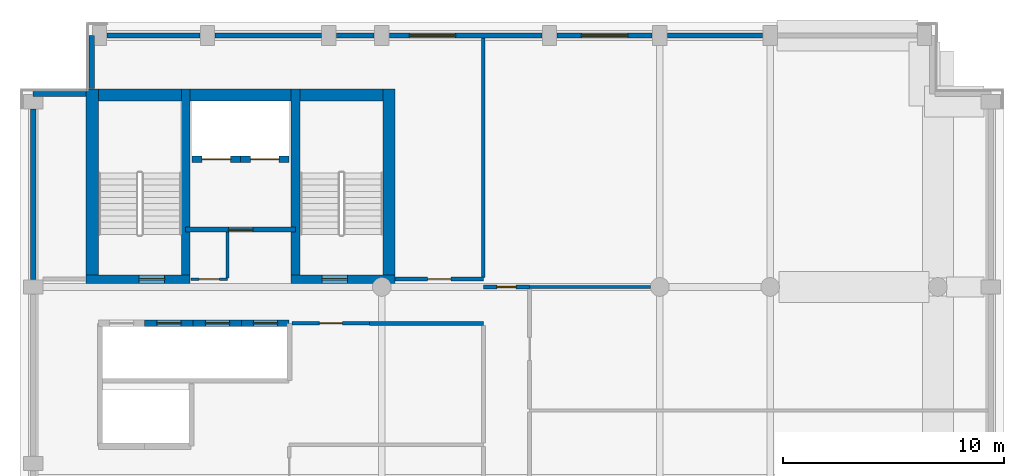
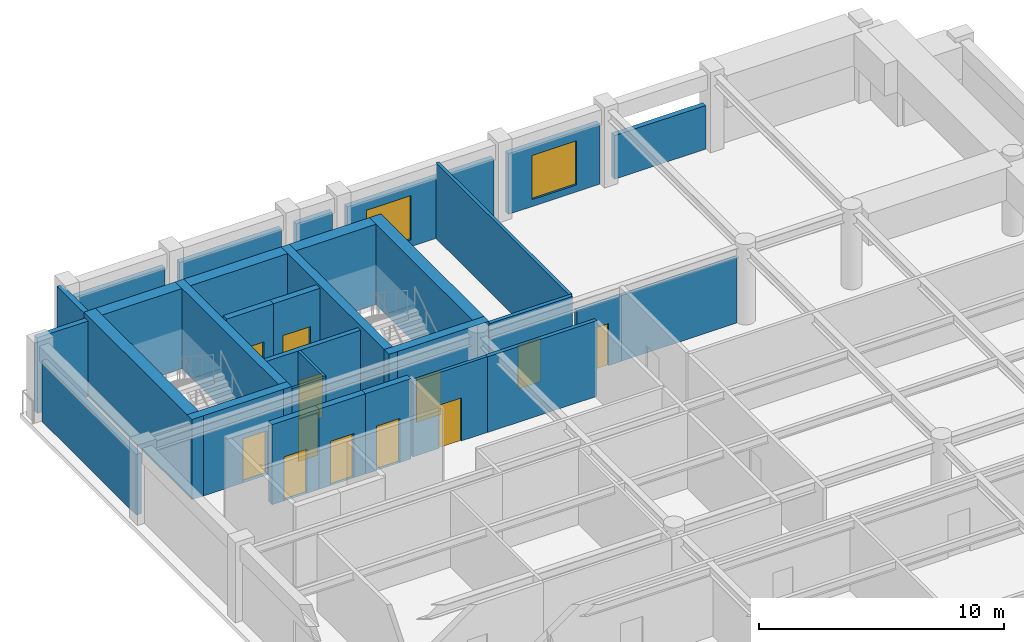
# One storey, part 4 of 8: 30 walls, 12 doors, 2 windows, 14 openings.
"""IFC4 building model written with IfcOpenShell, lengths in metres."""

from ifc_helpers import new_model, si_unit, direction, frame, frame_2d, origin, place, context, subcontext, project, spatial, rectangle, extrude, material, layer, layer_set, type_object, element, fill, save


model = new_model("IFC4")

# Units and contexts
model_context = context("Model", 3, precision=1e-05, world=origin(), true_north=direction((0.0, 1.0)))
body_context = subcontext(model_context, "Body", "Model", "MODEL_VIEW")
ifc_project = project(units=[si_unit("LENGTHUNIT", "METRE"), si_unit("AREAUNIT", "SQUARE_METRE"), si_unit("VOLUMEUNIT", "CUBIC_METRE"), si_unit("PLANEANGLEUNIT", "RADIAN"), si_unit("MASSUNIT", "GRAM", prefix="KILO")], contexts=[model_context])

# Site, building, storey
site_placement = place(None, origin())
site = spatial("IfcSite", under=ifc_project, at=site_placement, CompositionType="ELEMENT")
building_placement = place(site_placement, origin())
building = spatial("IfcBuilding", under=site, at=building_placement, Name="Sulina Concourse Tower", CompositionType="ELEMENT")
storey_placement = place(building_placement, frame((0.0, 0.0, 293.0)))
storey = spatial("IfcBuildingStorey", under=building, at=storey_placement, Name="L71", CompositionType="ELEMENT", Elevation=293.0)

# Wall, opening, door
ifc_material_1 = material(Name="Concrete C50/60", Category="concrete")
ifc_layer_1 = layer(ifc_material_1, 0.300048828125)
ifc_layer_set_1 = layer_set([ifc_layer_1], Name="Concrete C50/60")
wall_type_1 = type_object("IfcWallType", Name="Core Lift Hoistway Wall 300mm", PredefinedType="SOLIDWALL", material=ifc_layer_set_1)
wall_1_placement = place(storey_placement, frame((5.64990234375, 32.35009765625, 0.0), z_axis=(0.0, 0.0, 1.0), x_axis=(1.0, 0.0, 0.0)))
wall_1 = element("IfcWall", 1, at=wall_1_placement, inside=storey, type_object=wall_type_1, Name="L71 hoistway enclosure wall LP-10", PredefinedType="SOLIDWALL", context=body_context, shape_type="SweptSolid", body=[
    extrude(rectangle(XDim=2.2001953125, YDim=0.300048828125, at=frame_2d((1.10009765625, 0.0))), origin(), (0.0, 0.0, 1.0), 4.0),
])
opening_1_placement = place(wall_1_placement, frame((0.550048828125, 0.0, 0.0)))
opening_1 = element("IfcOpeningElement", 2, at=opening_1_placement, cuts=wall_1, Name="Opening LD-01", PredefinedType="OPENING", context=body_context, shape_type="SweptSolid", body=[
    extrude(rectangle(XDim=1.10009765625, YDim=2.199951171875, at=frame_2d((0.550048828125, 1.10009765625))), frame((0.0, 0.159912109375, 0.0), z_axis=(0.0, -1.0, 0.0), x_axis=(1.0, 0.0, 0.0)), (0.0, 0.0, 1.0), 0.320068359375),
])
ifc_material_2 = material(Name="Stainless steel lift landing door", Category="steel")
ifc_layer_2 = layer(ifc_material_2, 0.050048828125)
ifc_layer_set_2 = layer_set([ifc_layer_2], Name="Stainless steel lift landing door")
door_type_1 = type_object("IfcDoorType", Name="Passenger Lift Sliding Landing Door 1100x2200", OperationType="SLIDING_TO_LEFT", PredefinedType="DOOR", material=ifc_layer_set_2)
door_1_placement = place(opening_1_placement, origin())
door_1 = element("IfcDoor", 3, at=door_1_placement, inside=storey, type_object=door_type_1, Name="L71 lift landing sliding door LP-10", OperationType="SLIDING_TO_RIGHT", OverallHeight=2.199951171875, OverallWidth=1.10009765625, PredefinedType="DOOR", context=body_context, shape_type="SweptSolid", body=[
    extrude(rectangle(XDim=1.10009765625, YDim=2.199951171875, at=frame_2d((0.550048828125, 1.10009765625))), frame((0.0, 0.02490234375, 0.0), z_axis=(0.0, -1.0, 0.0), x_axis=(1.0, 0.0, 0.0)), (0.0, 0.0, 1.0), 0.050048828125),
])
fill(opening_1, door_1)

wall_2_placement = place(storey_placement, frame((7.85009765625, 32.35009765625, 0.0), z_axis=(0.0, 0.0, 1.0), x_axis=(1.0, 0.0, 0.0)))
wall_2 = element("IfcWall", 4, at=wall_2_placement, inside=storey, type_object=wall_type_1, Name="L71 hoistway enclosure wall LP-11", PredefinedType="SOLIDWALL", context=body_context, shape_type="SweptSolid", body=[
    extrude(rectangle(XDim=2.199951171875, YDim=0.300048828125, at=frame_2d((1.10009765625, 0.0))), origin(), (0.0, 0.0, 1.0), 4.0),
])
opening_2_placement = place(wall_2_placement, frame((0.550048828125, 0.0, 0.0)))
opening_2 = element("IfcOpeningElement", 5, at=opening_2_placement, cuts=wall_2, Name="Opening LD-01", PredefinedType="OPENING", context=body_context, shape_type="SweptSolid", body=[
    extrude(rectangle(XDim=1.10009765625, YDim=2.199951171875, at=frame_2d((0.550048828125, 1.10009765625))), frame((0.0, 0.159912109375, 0.0), z_axis=(0.0, -1.0, 0.0), x_axis=(1.0, 0.0, 0.0)), (0.0, 0.0, 1.0), 0.320068359375),
])
door_2_placement = place(opening_2_placement, origin())
door_2 = element("IfcDoor", 6, at=door_2_placement, inside=storey, type_object=door_type_1, Name="L71 lift landing sliding door LP-11", OperationType="SLIDING_TO_LEFT", OverallHeight=2.199951171875, OverallWidth=1.10009765625, PredefinedType="DOOR", context=body_context, shape_type="SweptSolid", body=[
    extrude(rectangle(XDim=1.10009765625, YDim=2.199951171875, at=frame_2d((0.550048828125, 1.10009765625))), frame((0.0, 0.02490234375, 0.0), z_axis=(0.0, -1.0, 0.0), x_axis=(1.0, 0.0, 0.0)), (0.0, 0.0, 1.0), 0.050048828125),
])
fill(opening_2, door_2)

wall_3_placement = place(storey_placement, frame((10.050048828125, 32.35009765625, 0.0), z_axis=(0.0, 0.0, 1.0), x_axis=(1.0, 0.0, 0.0)))
wall_3 = element("IfcWall", 7, at=wall_3_placement, inside=storey, type_object=wall_type_1, Name="L71 hoistway enclosure wall LP-12", PredefinedType="SOLIDWALL", context=body_context, shape_type="SweptSolid", body=[
    extrude(rectangle(XDim=2.14990234375, YDim=0.300048828125, at=frame_2d((1.074951171875, 0.0))), origin(), (0.0, 0.0, 1.0), 4.0),
])
opening_3_placement = place(wall_3_placement, frame((0.52490234375, 0.0, 0.0)))
opening_3 = element("IfcOpeningElement", 8, at=opening_3_placement, cuts=wall_3, Name="Opening LD-01", PredefinedType="OPENING", context=body_context, shape_type="SweptSolid", body=[
    extrude(rectangle(XDim=1.10009765625, YDim=2.199951171875, at=frame_2d((0.550048828125, 1.10009765625))), frame((0.0, 0.159912109375, 0.0), z_axis=(0.0, -1.0, 0.0), x_axis=(1.0, 0.0, 0.0)), (0.0, 0.0, 1.0), 0.320068359375),
])
door_3_placement = place(opening_3_placement, origin())
door_3 = element("IfcDoor", 9, at=door_3_placement, inside=storey, type_object=door_type_1, Name="L71 lift landing sliding door LP-12", OperationType="SLIDING_TO_RIGHT", OverallHeight=2.199951171875, OverallWidth=1.10009765625, PredefinedType="DOOR", context=body_context, shape_type="SweptSolid", body=[
    extrude(rectangle(XDim=1.10009765625, YDim=2.199951171875, at=frame_2d((0.550048828125, 1.10009765625))), frame((0.0, 0.02490234375, 0.0), z_axis=(0.0, -1.0, 0.0), x_axis=(1.0, 0.0, 0.0)), (0.0, 0.0, 1.0), 0.050048828125),
])
fill(opening_3, door_3)

wall_4_placement = place(storey_placement, frame((10.0, 39.780029296875, 0.0), z_axis=(0.0, 0.0, 1.0), x_axis=(-1.0, 0.0, 0.0)))
wall_4 = element("IfcWall", 10, at=wall_4_placement, inside=storey, type_object=wall_type_1, Name="L71 hoistway enclosure wall FFL-1", PredefinedType="SOLIDWALL", context=body_context, shape_type="SweptSolid", body=[
    extrude(rectangle(XDim=2.199951171875, YDim=0.300048828125, at=frame_2d((1.10009765625, 0.0))), origin(), (0.0, 0.0, 1.0), 4.0),
])
opening_4_placement = place(wall_4_placement, frame((0.449951171875, 0.0, 0.0)))
opening_4 = element("IfcOpeningElement", 11, at=opening_4_placement, cuts=wall_4, Name="Opening LD-02", PredefinedType="OPENING", context=body_context, shape_type="SweptSolid", body=[
    extrude(rectangle(XDim=1.300048828125, YDim=2.25, at=frame_2d((0.64990234375, 1.125))), frame((0.0, 0.159912109375, 0.0), z_axis=(0.0, -1.0, 0.0), x_axis=(1.0, 0.0, 0.0)), (0.0, 0.0, 1.0), 0.320068359375),
])
ifc_material_3 = material(Name="Stainless steel lift landing door", Category="steel")
ifc_layer_3 = layer(ifc_material_3, 0.050048828125)
ifc_layer_set_3 = layer_set([ifc_layer_3], Name="Stainless steel lift landing door")
door_type_2 = type_object("IfcDoorType", Name="Firefighting Lift Sliding Landing Door 1300x2250", OperationType="SLIDING_TO_RIGHT", PredefinedType="DOOR", material=ifc_layer_set_3)
door_4_placement = place(opening_4_placement, origin())
door_4 = element("IfcDoor", 12, at=door_4_placement, inside=storey, type_object=door_type_2, Name="L71 lift landing sliding door FFL-1", OperationType="SLIDING_TO_LEFT", OverallHeight=2.25, OverallWidth=1.300048828125, PredefinedType="DOOR", context=body_context, shape_type="SweptSolid", body=[
    extrude(rectangle(XDim=1.300048828125, YDim=2.25, at=frame_2d((0.64990234375, 1.125))), frame((0.0, 0.02490234375, 0.0), z_axis=(0.0, -1.0, 0.0), x_axis=(1.0, 0.0, 0.0)), (0.0, 0.0, 1.0), 0.050048828125),
])
fill(opening_4, door_4)

wall_5_placement = place(storey_placement, frame((12.199951171875, 39.780029296875, 0.0), z_axis=(0.0, 0.0, 1.0), x_axis=(-1.0, 0.0, 0.0)))
wall_5 = element("IfcWall", 13, at=wall_5_placement, inside=storey, type_object=wall_type_1, Name="L71 hoistway enclosure wall FFL-2", PredefinedType="SOLIDWALL", context=body_context, shape_type="SweptSolid", body=[
    extrude(rectangle(XDim=2.199951171875, YDim=0.300048828125, at=frame_2d((1.10009765625, 0.0))), origin(), (0.0, 0.0, 1.0), 4.0),
])
opening_5_placement = place(wall_5_placement, frame((0.449951171875, 0.0, 0.0)))
opening_5 = element("IfcOpeningElement", 14, at=opening_5_placement, cuts=wall_5, Name="Opening LD-02", PredefinedType="OPENING", context=body_context, shape_type="SweptSolid", body=[
    extrude(rectangle(XDim=1.300048828125, YDim=2.25, at=frame_2d((0.64990234375, 1.125))), frame((0.0, 0.159912109375, 0.0), z_axis=(0.0, -1.0, 0.0), x_axis=(1.0, 0.0, 0.0)), (0.0, 0.0, 1.0), 0.320068359375),
])
door_5_placement = place(opening_5_placement, origin())
door_5 = element("IfcDoor", 15, at=door_5_placement, inside=storey, type_object=door_type_2, Name="L71 lift landing sliding door FFL-2", OperationType="SLIDING_TO_RIGHT", OverallHeight=2.25, OverallWidth=1.300048828125, PredefinedType="DOOR", context=body_context, shape_type="SweptSolid", body=[
    extrude(rectangle(XDim=1.300048828125, YDim=2.25, at=frame_2d((0.64990234375, 1.125))), frame((0.0, 0.02490234375, 0.0), z_axis=(0.0, -1.0, 0.0), x_axis=(1.0, 0.0, 0.0)), (0.0, 0.0, 1.0), 0.050048828125),
])
fill(opening_5, door_5)

# Walls
ifc_material_4 = material(Name="Precast concrete C50/60", Category="concrete")
ifc_layer_4 = layer(ifc_material_4, 0.239990234375)
ifc_layer_set_4 = layer_set([ifc_layer_4], Name="Precast concrete C50/60")
wall_type_2 = type_object("IfcWallType", Name="Crown Precast Masonry-Frame Facade Wall 240mm", PredefinedType="SOLIDWALL", material=ifc_layer_set_4)
wall_6_placement = place(storey_placement, frame((0.60009765625, 34.344970703125, 0.0), z_axis=(0.0, 0.0, 1.0), x_axis=(0.0, 1.0, 0.0)))
element("IfcWall", 16, at=wall_6_placement, inside=storey, type_object=wall_type_2, Name="L71 exterior precast wall W5", PredefinedType="SOLIDWALL", context=body_context, shape_type="SweptSolid", body=[
    extrude(rectangle(XDim=7.7099609375, YDim=0.239990234375, at=frame_2d((3.85498046875, 0.0))), origin(), (0.0, 0.0, 1.0), 3.02490234375),
])
wall_7_placement = place(storey_placement, frame((3.945068359375, 45.39990234375, 0.0), z_axis=(0.0, 0.0, 1.0), x_axis=(1.0, 0.0, 0.0)))
element("IfcWall", 17, at=wall_7_placement, inside=storey, type_object=wall_type_2, Name="L71 exterior precast wall N1", PredefinedType="SOLIDWALL", context=body_context, shape_type="SweptSolid", body=[
    extrude(rectangle(XDim=4.2099609375, YDim=0.239990234375, at=frame_2d((2.10498046875, 0.0))), origin(), (0.0, 0.0, 1.0), 3.02490234375),
])
wall_8_placement = place(storey_placement, frame((8.844970703125, 45.39990234375, 0.0), z_axis=(0.0, 0.0, 1.0), x_axis=(1.0, 0.0, 0.0)))
element("IfcWall", 18, at=wall_8_placement, inside=storey, type_object=wall_type_2, Name="L71 exterior precast wall N2", PredefinedType="SOLIDWALL", context=body_context, shape_type="SweptSolid", body=[
    extrude(rectangle(XDim=4.81005859375, YDim=0.239990234375, at=frame_2d((2.405029296875, 0.0))), origin(), (0.0, 0.0, 1.0), 3.02490234375),
])
wall_9_placement = place(storey_placement, frame((14.344970703125, 45.39990234375, 0.0), z_axis=(0.0, 0.0, 1.0), x_axis=(1.0, 0.0, 0.0)))
element("IfcWall", 19, at=wall_9_placement, inside=storey, type_object=wall_type_2, Name="L71 exterior precast wall N3", PredefinedType="SOLIDWALL", context=body_context, shape_type="SweptSolid", body=[
    extrude(rectangle(XDim=1.7099609375, YDim=0.239990234375, at=frame_2d((0.85498046875, 0.0))), origin(), (0.0, 0.0, 1.0), 3.02490234375),
])

# Wall, opening, window
wall_10_placement = place(storey_placement, frame((16.7451171875, 45.39990234375, 0.0), z_axis=(0.0, 0.0, 1.0), x_axis=(1.0, 0.0, 0.0)))
wall_10 = element("IfcWall", 20, at=wall_10_placement, inside=storey, type_object=wall_type_2, Name="L71 exterior precast wall N4", PredefinedType="SOLIDWALL", context=body_context, shape_type="SweptSolid", body=[
    extrude(rectangle(XDim=6.909912109375, YDim=0.239990234375, at=frame_2d((3.455078125, 0.0))), origin(), (0.0, 0.0, 1.0), 3.02490234375),
])
opening_6_placement = place(wall_10_placement, frame((0.9033203125, 0.0, 0.35009765625)))
opening_6 = element("IfcOpeningElement", 21, at=opening_6_placement, cuts=wall_10, Name="Opening WN-33", PredefinedType="OPENING", context=body_context, shape_type="SweptSolid", body=[
    extrude(rectangle(XDim=2.10009765625, YDim=2.199951171875, at=frame_2d((1.050048828125, 1.10009765625))), frame((0.0, 0.1298828125, 0.0), z_axis=(0.0, -1.0, 0.0), x_axis=(1.0, 0.0, 0.0)), (0.0, 0.0, 1.0), 0.260009765625),
])
ifc_material_5 = material(Name="Low-E solar double glazing in bronze aluminium", Category="aluminium")
window_type = type_object("IfcWindowType", Name="Punched Masonry-Frame Window 2100x2200", PartitioningType="DOUBLE_PANEL_VERTICAL", PredefinedType="WINDOW", material=ifc_material_5)
window_1_placement = place(opening_6_placement, origin())
window_1 = element("IfcWindow", 22, at=window_1_placement, inside=storey, type_object=window_type, Name="L71 punched window N4-1", OverallHeight=2.199951171875, OverallWidth=2.10009765625, PartitioningType="SINGLE_PANEL", PredefinedType="WINDOW", context=body_context, shape_type="SweptSolid", body=[
    extrude(rectangle(XDim=2.10009765625, YDim=2.199951171875, at=frame_2d((1.050048828125, 1.10009765625))), frame((0.0, 0.030029296875, 0.0), z_axis=(0.0, -1.0, 0.0), x_axis=(1.0, 0.0, 0.0)), (0.0, 0.0, 1.0), 0.06005859375),
])
fill(opening_6, window_1)

wall_11_placement = place(storey_placement, frame((24.344970703125, 45.39990234375, 0.0), z_axis=(0.0, 0.0, 1.0), x_axis=(1.0, 0.0, 0.0)))
wall_11 = element("IfcWall", 23, at=wall_11_placement, inside=storey, type_object=wall_type_2, Name="L71 exterior precast wall N5", PredefinedType="SOLIDWALL", context=body_context, shape_type="SweptSolid", body=[
    extrude(rectangle(XDim=4.31005859375, YDim=0.239990234375, at=frame_2d((2.155029296875, 0.0))), origin(), (0.0, 0.0, 1.0), 3.02490234375),
])
opening_7_placement = place(wall_11_placement, frame((1.10498046875, 0.0, 0.35009765625)))
opening_7 = element("IfcOpeningElement", 24, at=opening_7_placement, cuts=wall_11, Name="Opening WN-33", PredefinedType="OPENING", context=body_context, shape_type="SweptSolid", body=[
    extrude(rectangle(XDim=2.10009765625, YDim=2.199951171875, at=frame_2d((1.050048828125, 1.10009765625))), frame((0.0, 0.1298828125, 0.0), z_axis=(0.0, -1.0, 0.0), x_axis=(1.0, 0.0, 0.0)), (0.0, 0.0, 1.0), 0.260009765625),
])
window_2_placement = place(opening_7_placement, origin())
window_2 = element("IfcWindow", 25, at=window_2_placement, inside=storey, type_object=window_type, Name="L71 punched window N5-1", OverallHeight=2.199951171875, OverallWidth=2.10009765625, PartitioningType="SINGLE_PANEL", PredefinedType="WINDOW", context=body_context, shape_type="SweptSolid", body=[
    extrude(rectangle(XDim=2.10009765625, YDim=2.199951171875, at=frame_2d((1.050048828125, 1.10009765625))), frame((0.0, 0.030029296875, 0.0), z_axis=(0.0, -1.0, 0.0), x_axis=(1.0, 0.0, 0.0)), (0.0, 0.0, 1.0), 0.06005859375),
])
fill(opening_7, window_2)

# Walls
wall_12_placement = place(storey_placement, frame((29.344970703125, 45.39990234375, 0.0), z_axis=(0.0, 0.0, 1.0), x_axis=(1.0, 0.0, 0.0)))
element("IfcWall", 26, at=wall_12_placement, inside=storey, type_object=wall_type_2, Name="L71 exterior precast wall N6", PredefinedType="SOLIDWALL", context=body_context, shape_type="SweptSolid", body=[
    extrude(rectangle(XDim=4.31005859375, YDim=0.239990234375, at=frame_2d((2.155029296875, 0.0))), origin(), (0.0, 0.0, 1.0), 2.175048828125),
])
wall_13_placement = place(storey_placement, frame((0.60009765625, 42.7451171875, 0.0), z_axis=(0.0, 0.0, 1.0), x_axis=(1.0, 0.0, 0.0)))
element("IfcWall", 27, at=wall_13_placement, inside=storey, type_object=wall_type_2, Name="L71 exterior precast wall CNW1", PredefinedType="SOLIDWALL", context=body_context, shape_type="SweptSolid", body=[
    extrude(rectangle(XDim=2.39501953125, YDim=0.239990234375, at=frame_2d((1.197509765625, 0.0))), origin(), (0.0, 0.0, 1.0), 3.77490234375),
])
wall_14_placement = place(storey_placement, frame((3.2548828125, 42.985107421875, 0.0), z_axis=(0.0, 0.0, 1.0), x_axis=(0.0, 1.0, 0.0)))
element("IfcWall", 28, at=wall_14_placement, inside=storey, type_object=wall_type_2, Name="L71 exterior precast wall CNW2", PredefinedType="SOLIDWALL", context=body_context, shape_type="SweptSolid", body=[
    extrude(rectangle(XDim=2.414794921875, YDim=0.239990234375, at=frame_2d((1.20751953125, 0.0))), origin(), (0.0, 0.0, 1.0), 3.77490234375),
])

# Wall, opening, door
ifc_material_6 = material(Name="Gypsum board on steel stud", Category="steel")
ifc_layer_5 = layer(ifc_material_6, 0.219970703125)
ifc_layer_set_5 = layer_set([ifc_layer_5], Name="Gypsum board on steel stud")
wall_type_3 = type_object("IfcWallType", Name="Fire-Rated Lobby & Compartment Wall 220mm", PredefinedType="PARTITIONING", material=ifc_layer_set_5)
wall_15_placement = place(storey_placement, frame((7.510009765625, 36.60009765625, 0.0), z_axis=(0.0, 0.0, 1.0), x_axis=(1.0, 0.0, 0.0)))
wall_15 = element("IfcWall", 29, at=wall_15_placement, inside=storey, type_object=wall_type_3, Name="L71 firefighting lobby south fire wall", PredefinedType="PARTITIONING", context=body_context, shape_type="SweptSolid", body=[
    extrude(rectangle(XDim=4.97998046875, YDim=0.219970703125, at=frame_2d((2.489990234375, 0.0))), origin(), (0.0, 0.0, 1.0), 3.77490234375),
])
opening_8_placement = place(wall_15_placement, frame((1.93994140625, 0.0, 0.0)))
opening_8 = element("IfcOpeningElement", 30, at=opening_8_placement, cuts=wall_15, Name="Opening DR-47", PredefinedType="OPENING", context=body_context, shape_type="SweptSolid", body=[
    extrude(rectangle(XDim=1.10009765625, YDim=2.199951171875, at=frame_2d((0.550048828125, 1.10009765625))), frame((0.0, 0.119873046875, 0.0), z_axis=(0.0, -1.0, 0.0), x_axis=(1.0, 0.0, 0.0)), (0.0, 0.0, 1.0), 0.239990234375),
])
ifc_material_7 = material(Name="Galvanised steel acoustic fire leaf", Category="steel")
ifc_layer_6 = layer(ifc_material_7, 0.054931640625)
ifc_layer_set_6 = layer_set([ifc_layer_6], Name="Galvanised steel acoustic fire leaf")
door_type_3 = type_object("IfcDoorType", Name="Firefighting Lobby Fire Door 1100x2200", OperationType="NOTDEFINED", PredefinedType="DOOR", material=ifc_layer_set_6)
door_6_placement = place(opening_8_placement, origin())
door_6 = element("IfcDoor", 31, at=door_6_placement, inside=storey, type_object=door_type_3, Name="L71 firefighting lobby fire door", OperationType="SINGLE_SWING_RIGHT", OverallHeight=2.199951171875, OverallWidth=1.10009765625, PredefinedType="DOOR", context=body_context, shape_type="SweptSolid", body=[
    extrude(rectangle(XDim=1.10009765625, YDim=2.199951171875, at=frame_2d((0.550048828125, 1.10009765625))), frame((0.0, 0.02490234375, 0.0), z_axis=(0.0, -1.0, 0.0), x_axis=(1.0, 0.0, 0.0)), (0.0, 0.0, 1.0), 0.050048828125),
])
fill(opening_8, door_6)

ifc_material_8 = material(Name="Gypsum board on steel stud", Category="steel")
ifc_layer_7 = layer(ifc_material_8, 0.14990234375)
ifc_layer_set_7 = layer_set([ifc_layer_7], Name="Gypsum board on steel stud")
wall_type_4 = type_object("IfcWallType", Name="Inter-Tenancy Acoustic Partition 150mm", PredefinedType="PARTITIONING", material=ifc_layer_set_7)
wall_16_placement = place(storey_placement, frame((12.330078125, 32.35009765625, 0.0), z_axis=(0.0, 0.0, 1.0), x_axis=(1.0, 0.0, 0.0)))
wall_16 = element("IfcWall", 32, at=wall_16_placement, inside=storey, type_object=wall_type_4, Name="L71 interior partition 016", PredefinedType="PARTITIONING", context=body_context, shape_type="SweptSolid", body=[
    extrude(rectangle(XDim=3.52001953125, YDim=0.14990234375, at=frame_2d((1.760009765625, 0.0))), origin(), (0.0, 0.0, 1.0), 3.77490234375),
])
opening_9_placement = place(wall_16_placement, frame((1.235107421875, 0.0, 0.0)))
opening_9 = element("IfcOpeningElement", 33, at=opening_9_placement, cuts=wall_16, Name="Opening DR-37", PredefinedType="OPENING", context=body_context, shape_type="SweptSolid", body=[
    extrude(rectangle(XDim=1.050048828125, YDim=2.14990234375, at=frame_2d((0.52490234375, 1.074951171875))), frame((0.0, 0.0849609375, 0.0), z_axis=(0.0, -1.0, 0.0), x_axis=(1.0, 0.0, 0.0)), (0.0, 0.0, 1.0), 0.169921875),
])
ifc_material_9 = material(Name="Oak-veneered fire door leaf")
ifc_layer_8 = layer(ifc_material_9, 0.050048828125)
ifc_layer_set_8 = layer_set([ifc_layer_8], Name="Oak-veneered fire door leaf")
door_type_4 = type_object("IfcDoorType", Name="Tenant Suite Entrance Fire Door 1050x2150", OperationType="NOTDEFINED", PredefinedType="DOOR", material=ifc_layer_set_8)
door_7_placement = place(opening_9_placement, origin())
door_7 = element("IfcDoor", 34, at=door_7_placement, inside=storey, type_object=door_type_4, Name="L71 interior door L71-MR-MRG2", OperationType="SINGLE_SWING_LEFT", OverallHeight=2.14990234375, OverallWidth=1.050048828125, PredefinedType="DOOR", context=body_context, shape_type="SweptSolid", body=[
    extrude(rectangle(XDim=1.050048828125, YDim=2.14990234375, at=frame_2d((0.52490234375, 1.074951171875))), frame((0.0, 0.02490234375, 0.0), z_axis=(0.0, -1.0, 0.0), x_axis=(1.0, 0.0, 0.0)), (0.0, 0.0, 1.0), 0.050048828125),
])
fill(opening_9, door_7)

# Walls
wall_17_placement = place(storey_placement, frame((23.10009765625, 34.0, 0.0), z_axis=(0.0, 0.0, 1.0), x_axis=(1.0, 0.0, 0.0)))
element("IfcWall", 35, at=wall_17_placement, inside=storey, type_object=wall_type_4, Name="L71 interior partition 019", PredefinedType="PARTITIONING", context=body_context, shape_type="SweptSolid", body=[
    extrude(rectangle(XDim=5.474853515625, YDim=0.14990234375, at=frame_2d((2.7373046875, 0.0))), origin(), (0.0, 0.0, 1.0), 3.27001953125),
])
wall_18_placement = place(storey_placement, frame((21.0, 34.43994140625, 0.0), z_axis=(0.0, 0.0, 1.0), x_axis=(0.0, 1.0, 0.0)))
element("IfcWall", 36, at=wall_18_placement, inside=storey, type_object=wall_type_4, Name="L71 interior partition 033", PredefinedType="PARTITIONING", context=body_context, shape_type="SweptSolid", body=[
    extrude(rectangle(XDim=10.840087890625, YDim=0.14990234375, at=frame_2d((5.419921875, 0.0))), origin(), (0.0, 0.0, 1.0), 3.77490234375),
])
ifc_material_10 = material(Name="Gypsum board on steel stud", Category="steel")
ifc_layer_9 = layer(ifc_material_10, 0.179931640625)
ifc_layer_set_9 = layer_set([ifc_layer_9], Name="Gypsum board on steel stud")
wall_type_5 = type_object("IfcWallType", Name="Protected Corridor & Riser Partition 180mm", PredefinedType="PARTITIONING", material=ifc_layer_set_9)
wall_19_placement = place(storey_placement, frame((15.85009765625, 32.35009765625, 0.0), z_axis=(0.0, 0.0, 1.0), x_axis=(1.0, 0.0, 0.0)))
element("IfcWall", 37, at=wall_19_placement, inside=storey, type_object=wall_type_5, Name="L71 interior partition 017", PredefinedType="PARTITIONING", context=body_context, shape_type="SweptSolid", body=[
    extrude(rectangle(XDim=5.14990234375, YDim=0.179931640625, at=frame_2d((2.574951171875, 0.0))), origin(), (0.0, 0.0, 1.0), 3.77490234375),
])

# Wall, opening, door
wall_20_placement = place(storey_placement, frame((21.0, 34.0, 0.0), z_axis=(0.0, 0.0, 1.0), x_axis=(1.0, 0.0, 0.0)))
wall_20 = element("IfcWall", 38, at=wall_20_placement, inside=storey, type_object=wall_type_5, Name="L71 interior partition 018", PredefinedType="PARTITIONING", context=body_context, shape_type="SweptSolid", body=[
    extrude(rectangle(XDim=2.10009765625, YDim=0.179931640625, at=frame_2d((1.050048828125, 0.0))), origin(), (0.0, 0.0, 1.0), 3.27001953125),
])
opening_10_placement = place(wall_20_placement, frame((0.610107421875, 0.0, 0.0)))
opening_10 = element("IfcOpeningElement", 39, at=opening_10_placement, cuts=wall_20, Name="Opening DR-38", PredefinedType="OPENING", context=body_context, shape_type="SweptSolid", body=[
    extrude(rectangle(XDim=0.8798828125, YDim=2.10009765625, at=frame_2d((0.43994140625, 1.050048828125))), frame((0.0, 0.099853515625, 0.0), z_axis=(0.0, -1.0, 0.0), x_axis=(1.0, 0.0, 0.0)), (0.0, 0.0, 1.0), 0.199951171875),
])
ifc_material_11 = material(Name="Galvanised steel acoustic fire leaf", Category="steel")
ifc_layer_10 = layer(ifc_material_11, 0.050048828125)
ifc_layer_set_10 = layer_set([ifc_layer_10], Name="Galvanised steel acoustic fire leaf")
door_type_5 = type_object("IfcDoorType", Name="Service Riser Fire Door 880x2100", OperationType="NOTDEFINED", PredefinedType="DOOR", material=ifc_layer_set_10)
door_8_placement = place(opening_10_placement, origin())
door_8 = element("IfcDoor", 40, at=door_8_placement, inside=storey, type_object=door_type_5, Name="L71 interior door L71-CR-N2", OperationType="SINGLE_SWING_RIGHT", OverallHeight=2.10009765625, OverallWidth=0.8798828125, PredefinedType="DOOR", context=body_context, shape_type="SweptSolid", body=[
    extrude(rectangle(XDim=0.8798828125, YDim=2.10009765625, at=frame_2d((0.43994140625, 1.050048828125))), frame((0.0, 0.02490234375, 0.0), z_axis=(0.0, -1.0, 0.0), x_axis=(1.0, 0.0, 0.0)), (0.0, 0.0, 1.0), 0.050048828125),
])
fill(opening_10, door_8)

wall_21_placement = place(storey_placement, frame((17.0, 34.35009765625, 0.0), z_axis=(0.0, 0.0, 1.0), x_axis=(1.0, 0.0, 0.0)))
wall_21 = element("IfcWall", 41, at=wall_21_placement, inside=storey, type_object=wall_type_5, Name="L71 interior partition 022", PredefinedType="PARTITIONING", context=body_context, shape_type="SweptSolid", body=[
    extrude(rectangle(XDim=4.0, YDim=0.179931640625, at=frame_2d((2.0, 0.0))), origin(), (0.0, 0.0, 1.0), 3.77490234375),
])
opening_11_placement = place(wall_21_placement, frame((1.47509765625, 0.0, 0.0)))
opening_11 = element("IfcOpeningElement", 42, at=opening_11_placement, cuts=wall_21, Name="Opening DR-37", PredefinedType="OPENING", context=body_context, shape_type="SweptSolid", body=[
    extrude(rectangle(XDim=1.050048828125, YDim=2.14990234375, at=frame_2d((0.52490234375, 1.074951171875))), frame((0.0, 0.099853515625, 0.0), z_axis=(0.0, -1.0, 0.0), x_axis=(1.0, 0.0, 0.0)), (0.0, 0.0, 1.0), 0.199951171875),
])
door_9_placement = place(opening_11_placement, origin())
door_9 = element("IfcDoor", 43, at=door_9_placement, inside=storey, type_object=door_type_4, Name="L71 interior door L71-CR-N1", OperationType="SINGLE_SWING_RIGHT", OverallHeight=2.14990234375, OverallWidth=1.050048828125, PredefinedType="DOOR", context=body_context, shape_type="SweptSolid", body=[
    extrude(rectangle(XDim=1.050048828125, YDim=2.14990234375, at=frame_2d((0.52490234375, 1.074951171875))), frame((0.0, 0.02490234375, 0.0), z_axis=(0.0, -1.0, 0.0), x_axis=(1.0, 0.0, 0.0)), (0.0, 0.0, 1.0), 0.050048828125),
])
fill(opening_11, door_9)

ifc_material_12 = material(Name="Concrete C60/75", Category="concrete")
ifc_layer_11 = layer(ifc_material_12, 0.39990234375)
ifc_layer_set_11 = layer_set([ifc_layer_11], Name="Concrete C60/75")
wall_type_6 = type_object("IfcWallType", Name="Protected Stair Core Shear Wall 400mm", PredefinedType="SHEAR", material=ifc_layer_set_11)
wall_22_placement = place(storey_placement, frame((3.0, 34.35009765625, 0.0), z_axis=(0.0, 0.0, 1.0), x_axis=(1.0, 0.0, 0.0)))
wall_22 = element("IfcWall", 44, at=wall_22_placement, inside=storey, type_object=wall_type_6, Name="L71 west core shear wall CW-WS1", PredefinedType="SHEAR", context=body_context, shape_type="SweptSolid", body=[
    extrude(rectangle(XDim=4.7099609375, YDim=0.39990234375, at=frame_2d((2.35498046875, 0.0))), origin(), (0.0, 0.0, 1.0), 4.0),
])
opening_12_placement = place(wall_22_placement, frame((2.39990234375, 0.0, 0.0)))
opening_12 = element("IfcOpeningElement", 45, at=opening_12_placement, cuts=wall_22, Name="Opening DR-60", PredefinedType="OPENING", context=body_context, shape_type="SweptSolid", body=[
    extrude(rectangle(XDim=1.14990234375, YDim=2.199951171875, at=frame_2d((0.574951171875, 1.10009765625))), frame((0.0, 0.2099609375, 0.0), z_axis=(0.0, -1.0, 0.0), x_axis=(1.0, 0.0, 0.0)), (0.0, 0.0, 1.0), 0.419921875),
])
ifc_material_13 = material(Name="Galvanised steel acoustic fire leaf", Category="steel")
ifc_layer_12 = layer(ifc_material_13, 0.054931640625)
ifc_layer_set_12 = layer_set([ifc_layer_12], Name="Galvanised steel acoustic fire leaf")
door_type_6 = type_object("IfcDoorType", Name="Protected Exit Stair Fire Door 1150x2200", OperationType="NOTDEFINED", PredefinedType="DOOR", material=ifc_layer_set_12)
door_10_placement = place(opening_12_placement, origin())
door_10 = element("IfcDoor", 46, at=door_10_placement, inside=storey, type_object=door_type_6, Name="L71 stair ST-1 lobby fire door", OperationType="SINGLE_SWING_RIGHT", OverallHeight=2.199951171875, OverallWidth=1.14990234375, PredefinedType="DOOR", context=body_context, shape_type="SweptSolid", body=[
    extrude(rectangle(XDim=1.14990234375, YDim=2.199951171875, at=frame_2d((0.574951171875, 1.10009765625))), frame((0.0, 0.02490234375, 0.0), z_axis=(0.0, -1.0, 0.0), x_axis=(1.0, 0.0, 0.0)), (0.0, 0.0, 1.0), 0.050048828125),
])
fill(opening_12, door_10)

wall_23_placement = place(storey_placement, frame((12.2900390625, 34.35009765625, 0.0), z_axis=(0.0, 0.0, 1.0), x_axis=(1.0, 0.0, 0.0)))
wall_23 = element("IfcWall", 47, at=wall_23_placement, inside=storey, type_object=wall_type_6, Name="L71 west core shear wall CW-WS2", PredefinedType="SHEAR", context=body_context, shape_type="SweptSolid", body=[
    extrude(rectangle(XDim=4.7099609375, YDim=0.39990234375, at=frame_2d((2.35498046875, 0.0))), origin(), (0.0, 0.0, 1.0), 4.0),
])
opening_13_placement = place(wall_23_placement, frame((1.39990234375, 0.0, 0.0)))
opening_13 = element("IfcOpeningElement", 48, at=opening_13_placement, cuts=wall_23, Name="Opening DR-60", PredefinedType="OPENING", context=body_context, shape_type="SweptSolid", body=[
    extrude(rectangle(XDim=1.14990234375, YDim=2.199951171875, at=frame_2d((0.574951171875, 1.10009765625))), frame((0.0, 0.2099609375, 0.0), z_axis=(0.0, -1.0, 0.0), x_axis=(1.0, 0.0, 0.0)), (0.0, 0.0, 1.0), 0.419921875),
])
door_11_placement = place(opening_13_placement, origin())
door_11 = element("IfcDoor", 49, at=door_11_placement, inside=storey, type_object=door_type_6, Name="L71 stair ST-2 lobby fire door", OperationType="SINGLE_SWING_LEFT", OverallHeight=2.199951171875, OverallWidth=1.14990234375, PredefinedType="DOOR", context=body_context, shape_type="SweptSolid", body=[
    extrude(rectangle(XDim=1.14990234375, YDim=2.199951171875, at=frame_2d((0.574951171875, 1.10009765625))), frame((0.0, 0.02490234375, 0.0), z_axis=(0.0, -1.0, 0.0), x_axis=(1.0, 0.0, 0.0)), (0.0, 0.0, 1.0), 0.050048828125),
])
fill(opening_13, door_11)

# Walls
for number, where, z_axis, x_axis, name in (
    (50, (7.510009765625, 34.14990234375, 0.0), (0.0, 0.0, 1.0), (0.0, 1.0, 0.0), "L71 west core shear wall SW-ST1"),
    (51, (12.489990234375, 34.14990234375, 0.0), (0.0, 0.0, 1.0), (0.0, 1.0, 0.0), "L71 west core shear wall SW-ST2"),
):
    element("IfcWall", number, at=place(storey_placement, frame(where, z_axis=z_axis, x_axis=x_axis)), inside=storey, type_object=wall_type_6, Name=name, PredefinedType="SHEAR", context=body_context, shape_type="SweptSolid", body=[
        extrude(rectangle(XDim=8.830078125, YDim=0.39990234375, at=frame_2d((4.4150390625, 0.0))), origin(), (0.0, 0.0, 1.0), 4.0),
    ])
ifc_material_14 = material(Name="Concrete C50/60", Category="concrete")
ifc_layer_13 = layer(ifc_material_14, 0.550048828125)
ifc_layer_set_13 = layer_set([ifc_layer_13], Name="Concrete C50/60")
wall_type_7 = type_object("IfcWallType", Name="Upper Core Shear Wall 550mm", PredefinedType="SHEAR", material=ifc_layer_set_13)
wall_24_placement = place(storey_placement, frame((3.0, 42.705078125, 0.0), z_axis=(0.0, 0.0, 1.0), x_axis=(1.0, 0.0, 0.0)))
element("IfcWall", 52, at=wall_24_placement, inside=storey, type_object=wall_type_7, Name="L71 west core shear wall CW-WN", PredefinedType="SHEAR", context=body_context, shape_type="SweptSolid", body=[
    extrude(rectangle(XDim=14.0, YDim=0.550048828125, at=frame_2d((7.0, 0.0))), origin(), (0.0, 0.0, 1.0), 4.0),
])
for number, where, z_axis, x_axis, name in (
    (53, (3.27490234375, 34.14990234375, 0.0), (0.0, 0.0, 1.0), (0.0, 1.0, 0.0), "L71 west core shear wall CW-WW"),
    (54, (16.72509765625, 34.14990234375, 0.0), (0.0, 0.0, 1.0), (0.0, 1.0, 0.0), "L71 west core shear wall CW-WE"),
):
    element("IfcWall", number, at=place(storey_placement, frame(where, z_axis=z_axis, x_axis=x_axis)), inside=storey, type_object=wall_type_7, Name=name, PredefinedType="SHEAR", context=body_context, shape_type="SweptSolid", body=[
        extrude(rectangle(XDim=8.830078125, YDim=0.550048828125, at=frame_2d((4.4150390625, 0.0))), origin(), (0.0, 0.0, 1.0), 4.0),
    ])

# Wall, opening, door
ifc_material_15 = material(Name="Gypsum board on steel stud", Category="steel")
ifc_layer_14 = layer(ifc_material_15, 0.125)
ifc_layer_set_14 = layer_set([ifc_layer_14], Name="Gypsum board on steel stud")
wall_type_8 = type_object("IfcWallType", Name="Wet-Area Moisture-Resistant Partition 125mm", PredefinedType="PARTITIONING", material=ifc_layer_set_14)
wall_25_placement = place(storey_placement, frame((7.75, 34.35009765625, 0.0), z_axis=(0.0, 0.0, 1.0), x_axis=(1.0, 0.0, 0.0)))
wall_25 = element("IfcWall", 55, at=wall_25_placement, inside=storey, type_object=wall_type_8, Name="L71 interior partition 021", PredefinedType="PARTITIONING", context=body_context, shape_type="SweptSolid", body=[
    extrude(rectangle(XDim=1.64990234375, YDim=0.125, at=frame_2d((0.824951171875, 0.0))), origin(), (0.0, 0.0, 1.0), 3.77490234375),
])
opening_14_placement = place(wall_25_placement, frame((0.364990234375, 0.0, 0.0)))
opening_14 = element("IfcOpeningElement", 56, at=opening_14_placement, cuts=wall_25, Name="Opening DR-61", PredefinedType="OPENING", context=body_context, shape_type="SweptSolid", body=[
    extrude(rectangle(XDim=0.919921875, YDim=2.10009765625, at=frame_2d((0.4599609375, 1.050048828125))), frame((0.0, 0.072509765625, 0.0), z_axis=(0.0, -1.0, 0.0), x_axis=(1.0, 0.0, 0.0)), (0.0, 0.0, 1.0), 0.14501953125),
])
ifc_material_16 = material(Name="Oak-veneered fire door leaf")
ifc_layer_15 = layer(ifc_material_16, 0.050048828125)
ifc_layer_set_15 = layer_set([ifc_layer_15], Name="Oak-veneered fire door leaf")
door_type_7 = type_object("IfcDoorType", Name="Accessible WC Door 920x2100", OperationType="NOTDEFINED", PredefinedType="DOOR", material=ifc_layer_set_15)
door_12_placement = place(opening_14_placement, origin())
door_12 = element("IfcDoor", 57, at=door_12_placement, inside=storey, type_object=door_type_7, Name="L71 interior door L71-WC-ACC", OperationType="SINGLE_SWING_LEFT", OverallHeight=2.10009765625, OverallWidth=0.919921875, PredefinedType="DOOR", context=body_context, shape_type="SweptSolid", body=[
    extrude(rectangle(XDim=0.919921875, YDim=2.10009765625, at=frame_2d((0.4599609375, 1.050048828125))), frame((0.0, 0.02490234375, 0.0), z_axis=(0.0, -1.0, 0.0), x_axis=(1.0, 0.0, 0.0)), (0.0, 0.0, 1.0), 0.050048828125),
])
fill(opening_14, door_12)

# Wall
wall_26_placement = place(storey_placement, frame((9.39990234375, 34.41259765625, 0.0), z_axis=(0.0, 0.0, 1.0), x_axis=(0.0, 1.0, 0.0)))
element("IfcWall", 58, at=wall_26_placement, inside=storey, type_object=wall_type_8, Name="L71 interior partition 025", PredefinedType="PARTITIONING", context=body_context, shape_type="SweptSolid", body=[
    extrude(rectangle(XDim=2.077392578125, YDim=0.125, at=frame_2d((1.03857421875, 0.0))), origin(), (0.0, 0.0, 1.0), 3.77490234375),
])

save(model, "model.ifc")
